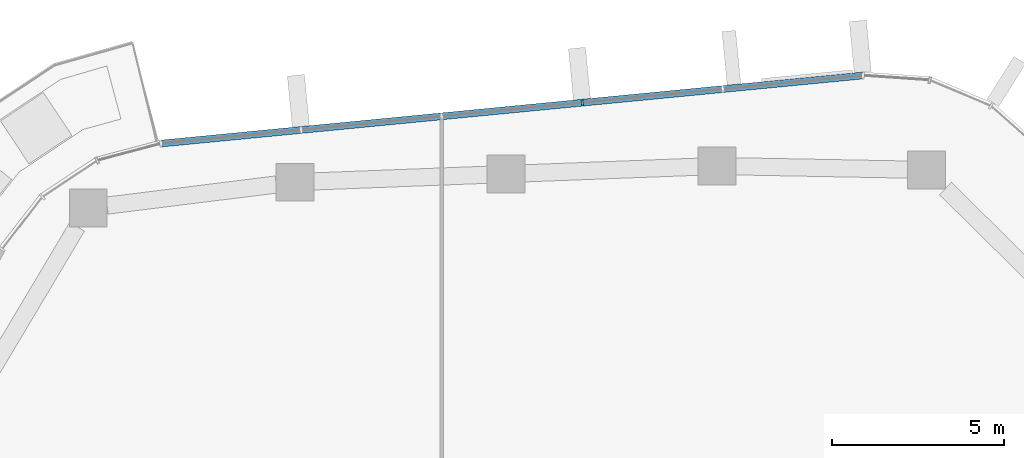
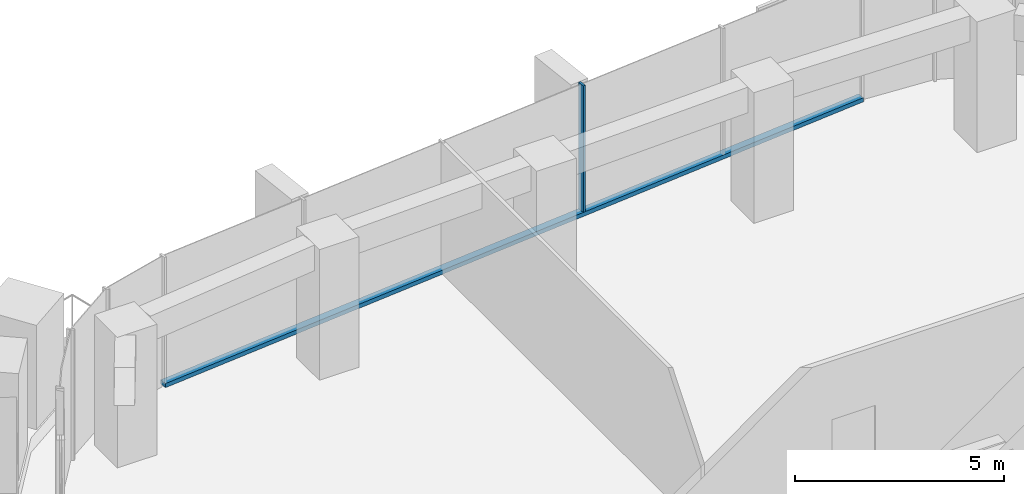
# One storey, part 7 of 20: 2 members, 1 element without a shape of its own.
"""IFC4 building model written with IfcOpenShell, lengths in metres."""

from ifc_helpers import new_model, si_unit, direction, frame, origin, origin_2d, place, context, subcontext, project, spatial, rectangle, extrude, material, layer, layer_set, material_profile, profile_set, type_object, element, aggregate, save


model = new_model("IFC4")

# Units and contexts
model_context = context("Model", 3, precision=1e-05, world=origin(), true_north=direction((0.0, 1.0)))
body_context = subcontext(model_context, "Body", "Model", "MODEL_VIEW")
ifc_project = project(units=[si_unit("LENGTHUNIT", "METRE"), si_unit("AREAUNIT", "SQUARE_METRE"), si_unit("VOLUMEUNIT", "CUBIC_METRE"), si_unit("PLANEANGLEUNIT", "RADIAN"), si_unit("MASSUNIT", "GRAM", prefix="KILO")], contexts=[model_context])

# Site, building, storey
site_placement = place(None, origin())
site = spatial("IfcSite", under=ifc_project, at=site_placement, CompositionType="ELEMENT")
building_placement = place(site_placement, origin())
building = spatial("IfcBuilding", under=site, at=building_placement, Name="Dongbaek Canopy Tower", CompositionType="ELEMENT")
storey_placement = place(building_placement, frame((0.0, 0.0, 258.0)))
storey = spatial("IfcBuildingStorey", under=building, at=storey_placement, Name="L54", CompositionType="ELEMENT", Elevation=258.0)

# Curtain wall, members
ifc_material_1 = material(Name="Aluminium 6063-T6 pale anodised", Category="aluminium")
ifc_layer = layer(ifc_material_1, 0.199951171875)
ifc_layer_set = layer_set([ifc_layer], Name="CW-1 unitised tower curtain wall")
curtain_wall_type = type_object("IfcCurtainWallType", Name="CW-1 unitised tower curtain wall", PredefinedType="NOTDEFINED", material=ifc_layer_set)
curtain_wall_placement = place(storey_placement, origin())
curtain_wall = element("IfcCurtainWall", 1, at=curtain_wall_placement, inside=storey, type_object=curtain_wall_type, Name="CW-1 curtain wall F1.1", PredefinedType="NOTDEFINED")
ifc_material_2 = material(Name="Aluminium 6063-T6 pale anodised", Category="aluminium")
ifc_material_profile_1 = material_profile(ifc_material_2, rectangle(XDim=0.199951171875, YDim=0.06005859375, at=origin_2d()), Name="CW-1 mullion 60 x 200")
ifc_profile_set_1 = profile_set([ifc_material_profile_1], Name="Aluminium 6063-T6 pale anodised")
member_type_1 = type_object("IfcMemberType", Name="CW-1 mullion 60 x 200", PredefinedType="MULLION", material=ifc_profile_set_1)
member_1_placement = place(storey_placement, frame((0.955078125, 26.55859375, 0.1201171875), z_axis=(0.0, 0.0, 1.0), x_axis=(-0.096505718384, 0.995332430055, 0.0)))
member_1 = element("IfcMember", 2, at=member_1_placement, type_object=member_type_1, Name="CW-1 mullion F1.1.3", PredefinedType="MULLION", context=body_context, shape_type="SweptSolid", body=[
    extrude(rectangle(XDim=0.199951171875, YDim=0.06005859375, at=origin_2d()), origin(), (0.0, 0.0, 1.0), 3.699951171875),
])
ifc_material_3 = material(Name="Aluminium 6063-T6 pale anodised", Category="aluminium")
ifc_material_profile_2 = material_profile(ifc_material_3, rectangle(XDim=0.199951171875, YDim=0.1201171875, at=origin_2d()), Name="CW-1 transom 120 x 200")
ifc_profile_set_2 = profile_set([ifc_material_profile_2], Name="Aluminium 6063-T6 pale anodised")
member_type_2 = type_object("IfcMemberType", Name="CW-1 transom 120 x 200", PredefinedType="USERDEFINED", material=ifc_profile_set_2)
member_2_placement = place(storey_placement, frame((9.1396484375, 27.35205078125, 0.06005859375), z_axis=(-0.995332112486, -0.096508993645, 0.0), x_axis=(0.096508993645, -0.995332112486, 0.0)))
member_2 = element("IfcMember", 3, at=member_2_placement, type_object=member_type_2, Name="CW-1 transom F1.1.1", ObjectType="TRANSOM", PredefinedType="USERDEFINED", context=body_context, shape_type="SweptSolid", body=[
    extrude(rectangle(XDim=0.199951171875, YDim=0.1201171875, at=origin_2d()), origin(), (0.0, 0.0, 1.0), 20.5615234375),
])
aggregate(curtain_wall, [member_1, member_2])

save(model, "model.ifc")
